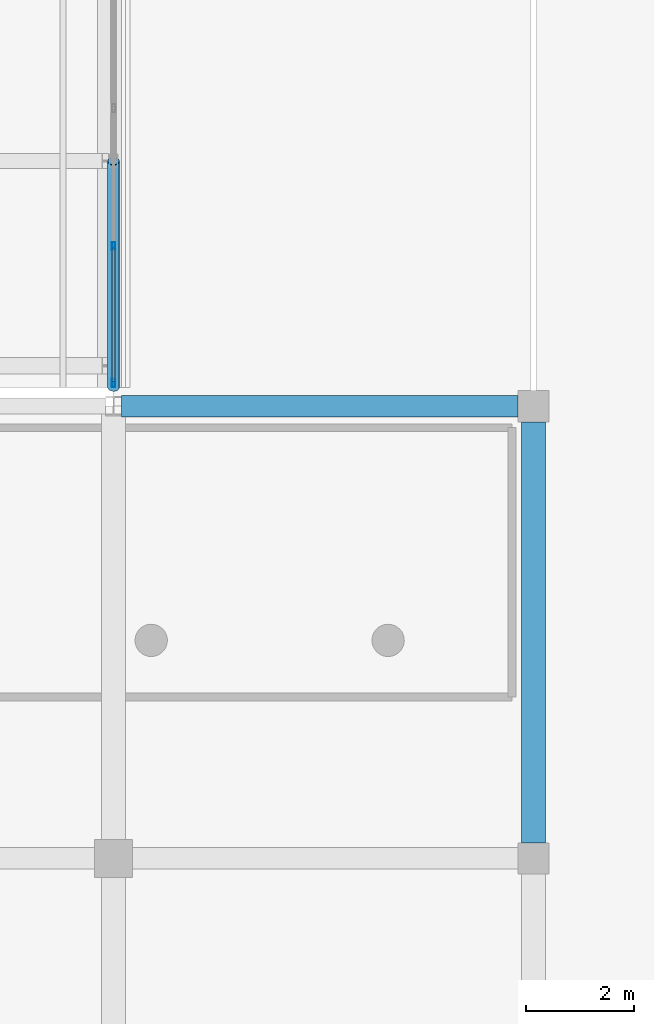
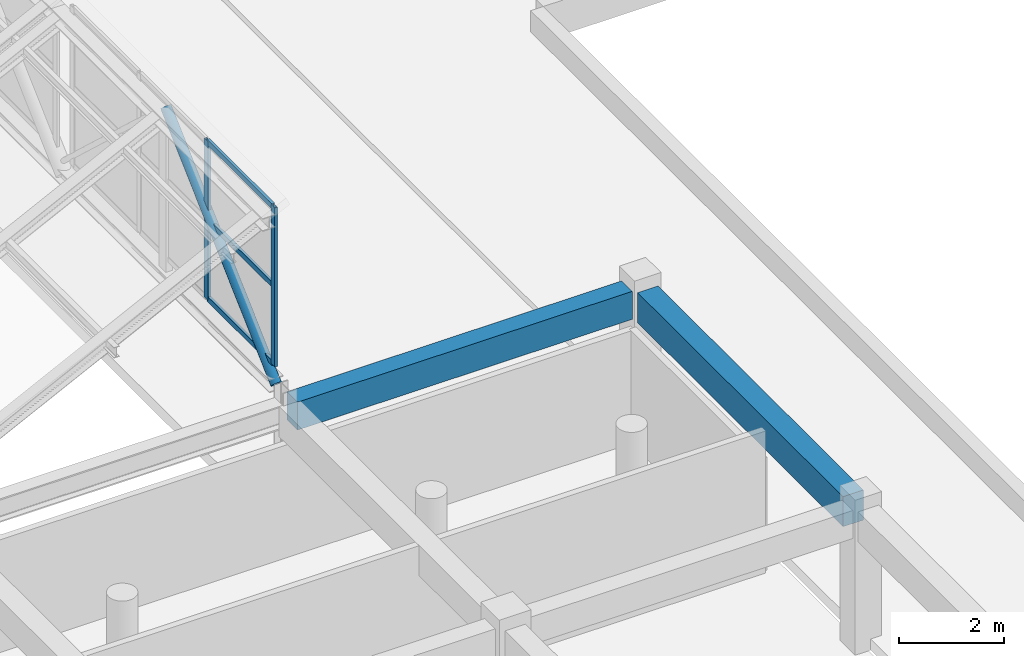
# One storey, part 45 of 101: 6 members, 2 beams, 1 element without a shape of its own.
"""IFC4 building model written with IfcOpenShell, lengths in metres."""

from ifc_helpers import new_model, si_unit, direction, frame, origin, origin_2d, place, context, subcontext, project, spatial, rectangle, hollow_rectangle, hollow_circle, extrude, material, layer, layer_set, material_profile, profile_set, type_object, element, aggregate, save


model = new_model("IFC4")

# Units and contexts
model_context = context("Model", 3, precision=1e-05, world=origin(), true_north=direction((0.0, 1.0)))
body_context = subcontext(model_context, "Body", "Model", "MODEL_VIEW")
ifc_project = project(units=[si_unit("LENGTHUNIT", "METRE"), si_unit("AREAUNIT", "SQUARE_METRE"), si_unit("VOLUMEUNIT", "CUBIC_METRE"), si_unit("PLANEANGLEUNIT", "RADIAN"), si_unit("MASSUNIT", "GRAM", prefix="KILO")], contexts=[model_context])

# Site, building, storey
site_placement = place(None, origin())
site = spatial("IfcSite", under=ifc_project, at=site_placement, CompositionType="ELEMENT")
building_placement = place(site_placement, origin())
building = spatial("IfcBuilding", under=site, at=building_placement, Name="Zizhar Promenade General Hospital", CompositionType="ELEMENT")
storey_placement = place(building_placement, frame((0.0, 0.0, 14.39990234375)))
storey = spatial("IfcBuildingStorey", under=building, at=storey_placement, Name="L03", CompositionType="ELEMENT", Elevation=14.39990234375)

# Beams
ifc_material_1 = material(Name="Concrete C35/45", Category="concrete")
ifc_material_profile_1 = material_profile(ifc_material_1, rectangle(XDim=0.39990234375, YDim=0.64990234375, at=origin_2d()))
ifc_profile_set_1 = profile_set([ifc_material_profile_1], Name="Concrete C35/45")
beam_type_1 = type_object("IfcBeamType", Name="BM-RC-400x650", PredefinedType="BEAM", material=ifc_profile_set_1)
beam_1_placement = place(storey_placement, frame((124.949951171875, 25.199951171875, 2.985107421875), z_axis=(1.0, 0.0, 0.0), x_axis=(0.0, 1.0, 0.0)))
element("IfcBeam", 1, at=beam_1_placement, inside=storey, type_object=beam_type_1, Name="Grid Beam X L03 (16-3)", PredefinedType="BEAM", context=body_context, shape_type="SweptSolid", body=[
    extrude(rectangle(XDim=0.39990234375, YDim=0.64990234375, at=origin_2d()), origin(), (0.0, 0.0, 1.0), 7.360107421875),
])
ifc_material_2 = material(Name="Concrete C35/45", Category="concrete")
ifc_material_profile_2 = material_profile(ifc_material_2, rectangle(XDim=0.449951171875, YDim=0.699951171875, at=origin_2d()))
ifc_profile_set_2 = profile_set([ifc_material_profile_2], Name="Concrete C35/45")
beam_type_2 = type_object("IfcBeamType", Name="BM-RC-450x700", PredefinedType="BEAM", material=ifc_profile_set_2)
beam_2_placement = place(storey_placement, frame((132.60009765625, 17.090087890625, 2.960205078125), z_axis=(0.0, 1.0, 0.0), x_axis=(-1.0, 0.0, 0.0)))
element("IfcBeam", 2, at=beam_2_placement, inside=storey, type_object=beam_type_2, Name="Grid Beam Y L03 (17-2)", PredefinedType="BEAM", context=body_context, shape_type="SweptSolid", body=[
    extrude(rectangle(XDim=0.449951171875, YDim=0.699951171875, at=origin_2d()), origin(), (0.0, 0.0, 1.0), 7.81982421875),
])

# Curtain wall, members
ifc_material_3 = material(Name="Anodised aluminium 6063-T6 and low-E glass", Category="aluminium")
ifc_layer = layer(ifc_material_3, 0.159912109375)
ifc_layer_set = layer_set([ifc_layer], Name="Anodised aluminium 6063-T6 and low-E glass")
curtain_wall_type = type_object("IfcCurtainWallType", Name="CW-SAW-NL1", PredefinedType="NOTDEFINED", material=ifc_layer_set)
curtain_wall_placement = place(storey_placement, origin())
curtain_wall = element("IfcCurtainWall", 3, at=curtain_wall_placement, inside=storey, type_object=curtain_wall_type, Name="Sawtooth Clerestory Light B7-S1", PredefinedType="NOTDEFINED")
ifc_material_4 = material(Name="Anodised aluminium 6063-T6", Category="aluminium")
ifc_material_profile_3 = material_profile(ifc_material_4, hollow_rectangle(XDim=0.06005859375, YDim=0.14990234375, WallThickness=0.00390625, at=origin_2d()))
ifc_profile_set_3 = profile_set([ifc_material_profile_3], Name="Anodised aluminium 6063-T6")
member_type_1 = type_object("IfcMemberType", Name="CWM-ALU-150x60", PredefinedType="MULLION", material=ifc_profile_set_3)
member_1_placement = place(storey_placement, frame((124.800048828125, 25.6298828125, 3.85009765625), z_axis=(0.0, 0.0, 1.0), x_axis=(-1.0, 0.0, 0.0)))
member_1 = element("IfcMember", 4, at=member_1_placement, type_object=member_type_1, Name="CW-03 mullion 1", PredefinedType="MULLION", context=body_context, shape_type="SweptSolid", body=[
    extrude(hollow_rectangle(XDim=0.06005859375, YDim=0.14990234375, WallThickness=0.00390625, at=origin_2d()), origin(), (0.0, 0.0, 1.0), 3.699951171875),
])
member_2_placement = place(storey_placement, frame((124.800048828125, 28.166748046875, 3.85009765625), z_axis=(0.0, 0.0, 1.0), x_axis=(-1.0, 0.0, 0.0)))
member_2 = element("IfcMember", 5, at=member_2_placement, type_object=member_type_1, Name="CW-03 mullion 2", PredefinedType="MULLION", context=body_context, shape_type="SweptSolid", body=[
    extrude(hollow_rectangle(XDim=0.06005859375, YDim=0.14990234375, WallThickness=0.00390625, at=origin_2d()), origin(), (0.0, 0.0, 1.0), 3.699951171875),
])
ifc_material_5 = material(Name="Anodised aluminium 6063-T6", Category="aluminium")
ifc_material_profile_4 = material_profile(ifc_material_5, hollow_rectangle(XDim=0.06005859375, YDim=0.1201171875, WallThickness=0.00390625, at=origin_2d()))
ifc_profile_set_4 = profile_set([ifc_material_profile_4], Name="Anodised aluminium 6063-T6")
member_type_2 = type_object("IfcMemberType", Name="CWT-ALU-120x60", PredefinedType="USERDEFINED", material=ifc_profile_set_4)
member_3_placement = place(storey_placement, frame((124.800048828125, 25.659912109375, 3.880126953125), z_axis=(0.0, 1.0, 0.0), x_axis=(-1.0, 0.0, 0.0)))
member_3 = element("IfcMember", 6, at=member_3_placement, type_object=member_type_2, Name="CW-03 transom 1.1", ObjectType="TRANSOM", PredefinedType="USERDEFINED", context=body_context, shape_type="SweptSolid", body=[
    extrude(hollow_rectangle(XDim=0.06005859375, YDim=0.1201171875, WallThickness=0.00390625, at=origin_2d()), origin(), (0.0, 0.0, 1.0), 2.476806640625),
])
member_4_placement = place(storey_placement, frame((124.800048828125, 25.659912109375, 5.7001953125), z_axis=(0.0, 1.0, 0.0), x_axis=(-1.0, 0.0, 0.0)))
member_4 = element("IfcMember", 7, at=member_4_placement, type_object=member_type_2, Name="CW-03 transom 1.2", ObjectType="TRANSOM", PredefinedType="USERDEFINED", context=body_context, shape_type="SweptSolid", body=[
    extrude(hollow_rectangle(XDim=0.06005859375, YDim=0.1201171875, WallThickness=0.00390625, at=origin_2d()), origin(), (0.0, 0.0, 1.0), 2.476806640625),
])
member_5_placement = place(storey_placement, frame((124.800048828125, 25.659912109375, 7.52001953125), z_axis=(0.0, 1.0, 0.0), x_axis=(-1.0, 0.0, 0.0)))
member_5 = element("IfcMember", 8, at=member_5_placement, type_object=member_type_2, Name="CW-03 transom 1.3", ObjectType="TRANSOM", PredefinedType="USERDEFINED", context=body_context, shape_type="SweptSolid", body=[
    extrude(hollow_rectangle(XDim=0.06005859375, YDim=0.1201171875, WallThickness=0.00390625, at=origin_2d()), origin(), (0.0, 0.0, 1.0), 2.476806640625),
])
aggregate(curtain_wall, [member_1, member_2, member_3, member_4, member_5])

# Member
ifc_material_6 = material(Name="Steel S355", Category="steel")
ifc_material_profile_5 = material_profile(ifc_material_6, hollow_circle(Radius=0.109619140625, WallThickness=0.008056640625, at=origin_2d()))
ifc_profile_set_5 = profile_set([ifc_material_profile_5], Name="Steel S355")
member_type_3 = type_object("IfcMemberType", Name="MEM-DIAG-CHS219", PredefinedType="BRACE", material=ifc_profile_set_5)
member_6_placement = place(storey_placement, frame((124.800048828125, 25.550048828125, 3.4501953125), z_axis=(0.0, 0.732798043082, 0.680446197767), x_axis=(-1.0, 0.0, 0.0)))
element("IfcMember", 9, at=member_6_placement, inside=storey, type_object=member_type_3, Name="Sawtooth Truss Frame 8 Diagonal A1", PredefinedType="BRACE", context=body_context, shape_type="SweptSolid", body=[
    extrude(hollow_circle(Radius=0.109619140625, WallThickness=0.008056640625, at=origin_2d()), origin(), (0.0, 0.0, 1.0), 5.7314453125),
])

save(model, "model.ifc")
